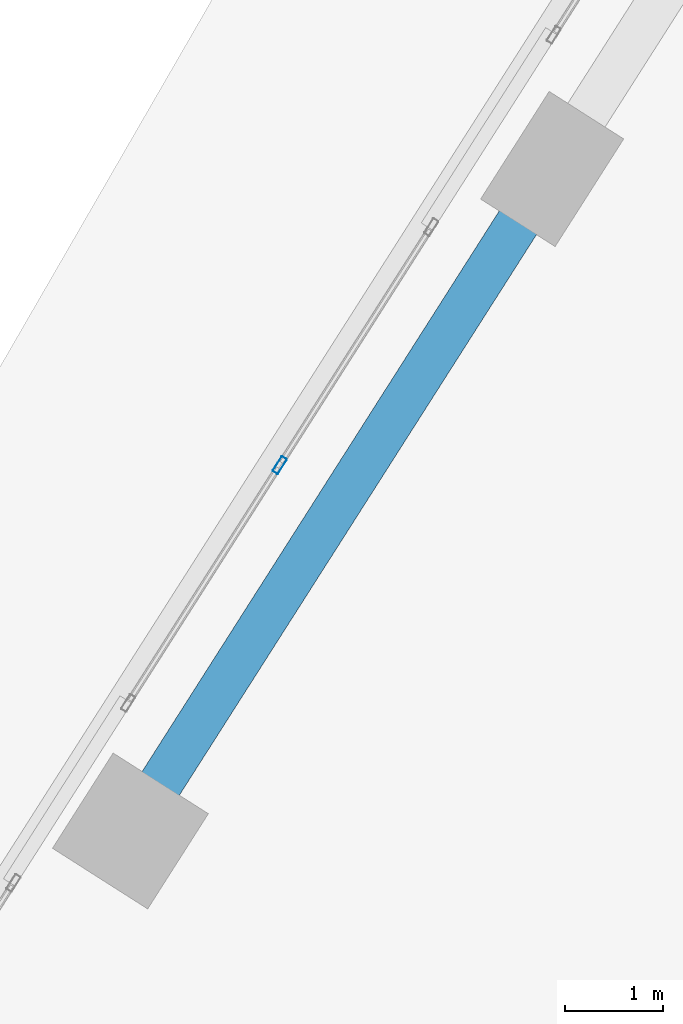
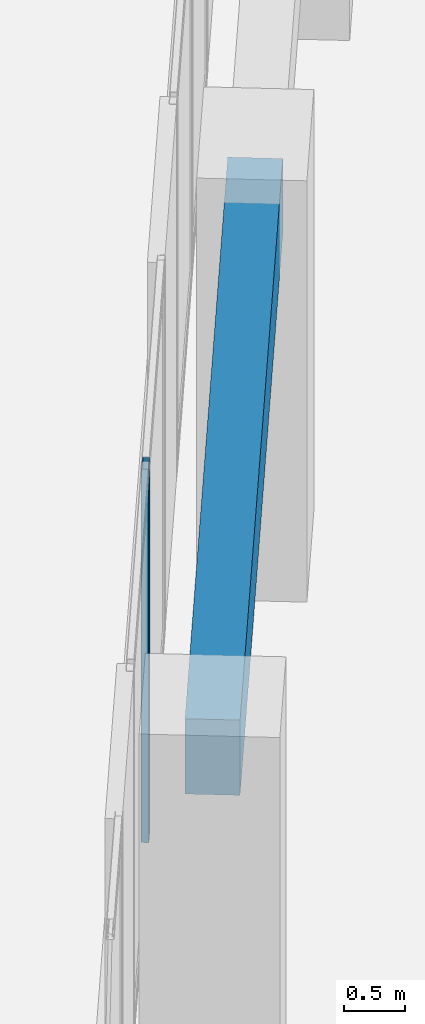
# One storey, part 6 of 23: 1 beam, 1 member, 1 element without a shape of its own.
"""IFC4 building model written with IfcOpenShell, lengths in metres."""

from ifc_helpers import new_model, si_unit, direction, frame, origin, origin_2d, place, context, subcontext, project, spatial, rectangle, hollow_rectangle, extrude, source, transform, mapped, material, material_profile, profile_set, type_object, element, aggregate, save


model = new_model("IFC4")

# Units and contexts
model_context = context("Model", 3, precision=1e-05, world=origin(), true_north=direction((0.0, 1.0)))
body_context = subcontext(model_context, "Body", "Model", "MODEL_VIEW")
ifc_project = project(units=[si_unit("LENGTHUNIT", "METRE"), si_unit("AREAUNIT", "SQUARE_METRE"), si_unit("VOLUMEUNIT", "CUBIC_METRE"), si_unit("PLANEANGLEUNIT", "RADIAN"), si_unit("MASSUNIT", "GRAM", prefix="KILO")], contexts=[model_context])

# Site, building, storey
site_placement = place(None, origin())
site = spatial("IfcSite", under=ifc_project, at=site_placement, CompositionType="ELEMENT")
building_placement = place(site_placement, origin())
building = spatial("IfcBuilding", under=site, at=building_placement, Name="Torre Montelarca", CompositionType="ELEMENT")
storey_placement = place(building_placement, frame((0.0, 0.0, 187.60009765625)))
storey = spatial("IfcBuildingStorey", under=building, at=storey_placement, Name="L42", CompositionType="ELEMENT", Elevation=187.60009765625)

# Beam
ifc_material_1 = material(Name="Concrete C55/67", Category="concrete")
ifc_material_profile_1 = material_profile(ifc_material_1, rectangle(XDim=0.449951171875, YDim=0.75, at=origin_2d()), Name="RCB450X750", Category="concrete")
ifc_profile_set_1 = profile_set([ifc_material_profile_1], Name="Concrete C55/67")
beam_type = type_object("IfcBeamType", Name="BM-SP-RC750-EXT", PredefinedType="SPANDREL", material=ifc_profile_set_1)
shared_shape_1 = source(origin(), body_context, "Body", "SweptSolid", [
    extrude(rectangle(XDim=0.449951171875, YDim=0.75, at=origin_2d()), origin(), (0.0, 0.0, 1.0), 8.0),
])
beam_placement = place(storey_placement, frame((2.990478515625, 34.306396484375, 3.5849609375), z_axis=(0.537298007891, 0.843392465414, 0.0), x_axis=(-0.843392465414, 0.537298007891, 0.0)))
element("IfcBeam", 1, at=beam_placement, inside=storey, type_object=beam_type, Name="L42 Grid Girder Y 24.0-32.0 at X=4.7", PredefinedType="SPANDREL", context=body_context, shape_type="MappedRepresentation", body=[
    mapped(shared_shape_1, transform((0.0, 0.0, 0.0), scale=1.0)),
])

# Curtain wall, member
ifc_material_2 = material(Name="Insulated low-E laminated glass", Category="glass")
curtain_wall_type = type_object("IfcCurtainWallType", Name="CW-SYS-Z2", PredefinedType="USERDEFINED", material=ifc_material_2)
curtain_wall_placement = place(storey_placement, origin())
curtain_wall = element("IfcCurtainWall", 2, at=curtain_wall_placement, inside=storey, type_object=curtain_wall_type, Name="L42 Curtain Wall Run CW-T3-L42-E10-B2", ObjectType="UNITISED GLAZING", PredefinedType="USERDEFINED")
ifc_material_3 = material(Name="Anodised aluminium AA 6063-T6", Category="aluminium")
ifc_material_profile_2 = material_profile(ifc_material_3, hollow_rectangle(XDim=0.06494140625, YDim=0.179931640625, WallThickness=0.00390625, InnerFilletRadius=0.00390625, OuterFilletRadius=0.008056640625, at=origin_2d()), Name="ALU65X180X4", Category="aluminium")
ifc_profile_set_2 = profile_set([ifc_material_profile_2], Name="Anodised aluminium AA 6063-T6")
member_type = type_object("IfcMemberType", Name="CWM-ALU180", PredefinedType="MULLION", material=ifc_profile_set_2)
shared_shape_2 = source(origin(), body_context, "Body", "SweptSolid", [
    extrude(hollow_rectangle(XDim=0.06494140625, YDim=0.179931640625, WallThickness=0.00390625, InnerFilletRadius=0.00390625, OuterFilletRadius=0.008056640625, at=origin_2d()), origin(), (0.0, 0.0, 1.0), 3.719970703125),
])
member_placement = place(storey_placement, frame((4.51220703125, 38.03515625, 0.0), z_axis=(0.0, 0.0, 1.0), x_axis=(0.843390174023, -0.537301604651, 0.0)))
member = element("IfcMember", 3, at=member_placement, type_object=member_type, Name="CW mullion 2", PredefinedType="MULLION", context=body_context, shape_type="MappedRepresentation", body=[
    mapped(shared_shape_2, transform((0.0, 0.0, 0.0), scale=1.0)),
])
aggregate(curtain_wall, [member])

save(model, "model.ifc")
